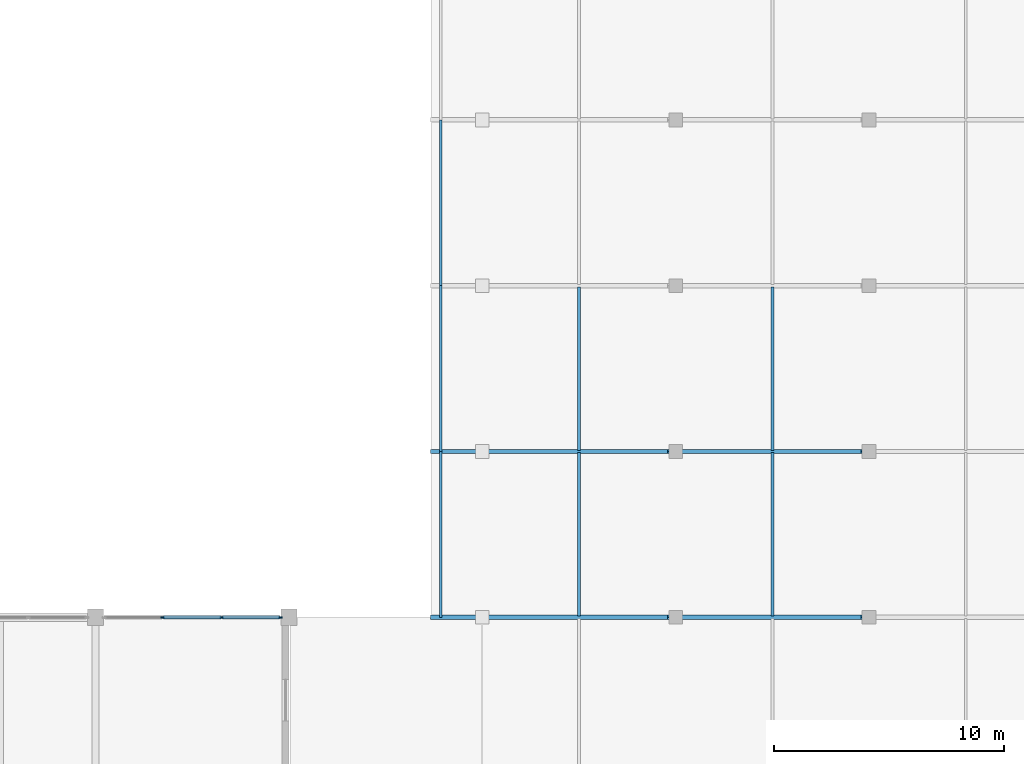
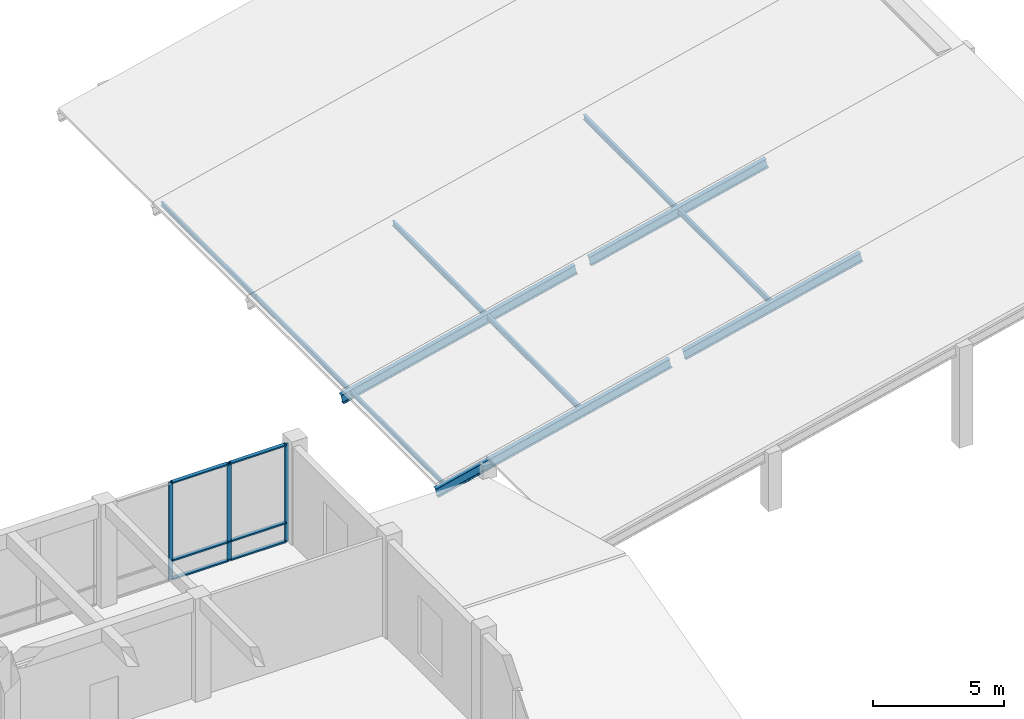
# One storey, part 25 of 51: 16 members, 4 beams, 1 element without a shape of its own.
"""IFC4 building model written with IfcOpenShell, lengths in metres."""

from ifc_helpers import new_model, si_unit, direction, frame, origin, origin_2d, place, context, subcontext, project, spatial, rectangle, i_section, extrude, material, material_profile, profile_set, type_object, element, aggregate, save


model = new_model("IFC4")

# Units and contexts
model_context = context("Model", 3, precision=1e-05, world=origin(), true_north=direction((0.0, 1.0)))
body_context = subcontext(model_context, "Body", "Model", "MODEL_VIEW")
ifc_project = project(units=[si_unit("LENGTHUNIT", "METRE"), si_unit("AREAUNIT", "SQUARE_METRE"), si_unit("VOLUMEUNIT", "CUBIC_METRE"), si_unit("PLANEANGLEUNIT", "RADIAN"), si_unit("MASSUNIT", "GRAM", prefix="KILO")], contexts=[model_context])

# Site, building, storey
site_placement = place(None, origin())
site = spatial("IfcSite", under=ifc_project, at=site_placement, CompositionType="ELEMENT")
building_placement = place(site_placement, origin())
building = spatial("IfcBuilding", under=site, at=building_placement, Name="Kenerak Square Central Library", CompositionType="ELEMENT")
storey_placement = place(building_placement, frame((0.0, 0.0, 9.60009765625)))
storey = spatial("IfcBuildingStorey", under=building, at=storey_placement, Name="L02", CompositionType="ELEMENT", Elevation=9.60009765625)

# Curtain wall, members
ifc_material_1 = material(Name="Anodised aluminium and solar-control low-E glazing", Category="aluminium")
curtain_wall_type = type_object("IfcCurtainWallType", Name="Curtain Wall CW-V6-77x45 7700x4550", PredefinedType="USERDEFINED", material=ifc_material_1)
curtain_wall_placement = place(storey_placement, origin())
curtain_wall = element("IfcCurtainWall", 1, at=curtain_wall_placement, inside=storey, type_object=curtain_wall_type, Name="Curtain Wall CW-V6-77x45 L02 0091", ObjectType="CURTAIN WALL", PredefinedType="USERDEFINED")
ifc_material_2 = material(Name="Anodised aluminium 6063-T6", Category="aluminium")
ifc_material_profile_1 = material_profile(ifc_material_2, rectangle(XDim=0.06494140625, YDim=0.179931640625, at=origin_2d()), Name="AL MULLION 65x180")
ifc_profile_set_1 = profile_set([ifc_material_profile_1], Name="Anodised aluminium 6063-T6")
member_type_1 = type_object("IfcMemberType", Name="Curtain Mullion CM-01 65x180", PredefinedType="MULLION", material=ifc_profile_set_1)
member_1_placement = place(storey_placement, frame((136.916748046875, 38.39990234375, 0.0), z_axis=(0.0, 0.0, 1.0), x_axis=(0.0, 1.0, 0.0)))
member_1 = element("IfcMember", 2, at=member_1_placement, type_object=member_type_1, Name="CW-V6-77x45 Mullion 2", PredefinedType="MULLION", context=body_context, shape_type="SweptSolid", body=[
    extrude(rectangle(XDim=0.06494140625, YDim=0.179931640625, at=origin_2d()), origin(), (0.0, 0.0, 1.0), 4.5498046875),
])
member_2_placement = place(storey_placement, frame((139.4833984375, 38.39990234375, 0.0), z_axis=(0.0, 0.0, 1.0), x_axis=(0.0, 1.0, 0.0)))
member_2 = element("IfcMember", 3, at=member_2_placement, type_object=member_type_1, Name="CW-V6-77x45 Mullion 3", PredefinedType="MULLION", context=body_context, shape_type="SweptSolid", body=[
    extrude(rectangle(XDim=0.06494140625, YDim=0.179931640625, at=origin_2d()), origin(), (0.0, 0.0, 1.0), 4.5498046875),
])
member_3_placement = place(storey_placement, frame((142.017578125, 38.39990234375, 0.0), z_axis=(0.0, 0.0, 1.0), x_axis=(0.0, 1.0, 0.0)))
member_3 = element("IfcMember", 4, at=member_3_placement, type_object=member_type_1, Name="CW-V6-77x45 Mullion 4", PredefinedType="MULLION", context=body_context, shape_type="SweptSolid", body=[
    extrude(rectangle(XDim=0.06494140625, YDim=0.179931640625, at=origin_2d()), origin(), (0.0, 0.0, 1.0), 4.5498046875),
])
ifc_material_profile_2 = material_profile(ifc_material_2, rectangle(XDim=0.159912109375, YDim=0.06494140625, at=origin_2d()), Name="AL TRANSOM 160x65")
ifc_profile_set_2 = profile_set([ifc_material_profile_2], Name="Anodised aluminium 6063-T6")
member_type_2 = type_object("IfcMemberType", Name="Curtain Transom CT-11 160x65", PredefinedType="USERDEFINED", material=ifc_profile_set_2)
member_4_placement = place(storey_placement, frame((136.94921875, 38.39990234375, 0.032470703125), z_axis=(1.0, 0.0, 0.0), x_axis=(0.0, 1.0, 0.0)))
member_4 = element("IfcMember", 5, at=member_4_placement, type_object=member_type_2, Name="CW-V6-77x45 Transom 2.1", ObjectType="TRANSOM", PredefinedType="USERDEFINED", context=body_context, shape_type="SweptSolid", body=[
    extrude(rectangle(XDim=0.159912109375, YDim=0.06494140625, at=origin_2d()), origin(), (0.0, 0.0, 1.0), 2.501708984375),
])
member_5_placement = place(storey_placement, frame((136.94921875, 38.39990234375, 0.89990234375), z_axis=(1.0, 0.0, 0.0), x_axis=(0.0, 1.0, 0.0)))
member_5 = element("IfcMember", 6, at=member_5_placement, type_object=member_type_2, Name="CW-V6-77x45 Transom 2.2", ObjectType="TRANSOM", PredefinedType="USERDEFINED", context=body_context, shape_type="SweptSolid", body=[
    extrude(rectangle(XDim=0.159912109375, YDim=0.06494140625, at=origin_2d()), origin(), (0.0, 0.0, 1.0), 2.501708984375),
])
member_6_placement = place(storey_placement, frame((136.94921875, 38.39990234375, 4.517333984375), z_axis=(1.0, 0.0, 0.0), x_axis=(0.0, 1.0, 0.0)))
member_6 = element("IfcMember", 7, at=member_6_placement, type_object=member_type_2, Name="CW-V6-77x45 Transom 2.3", ObjectType="TRANSOM", PredefinedType="USERDEFINED", context=body_context, shape_type="SweptSolid", body=[
    extrude(rectangle(XDim=0.159912109375, YDim=0.06494140625, at=origin_2d()), origin(), (0.0, 0.0, 1.0), 2.501708984375),
])
member_7_placement = place(storey_placement, frame((139.515869140625, 38.39990234375, 0.032470703125), z_axis=(1.0, 0.0, 0.0), x_axis=(0.0, 1.0, 0.0)))
member_7 = element("IfcMember", 8, at=member_7_placement, type_object=member_type_2, Name="CW-V6-77x45 Transom 3.1", ObjectType="TRANSOM", PredefinedType="USERDEFINED", context=body_context, shape_type="SweptSolid", body=[
    extrude(rectangle(XDim=0.159912109375, YDim=0.06494140625, at=origin_2d()), origin(), (0.0, 0.0, 1.0), 2.46923828125),
])
member_8_placement = place(storey_placement, frame((139.515869140625, 38.39990234375, 0.89990234375), z_axis=(1.0, 0.0, 0.0), x_axis=(0.0, 1.0, 0.0)))
member_8 = element("IfcMember", 9, at=member_8_placement, type_object=member_type_2, Name="CW-V6-77x45 Transom 3.2", ObjectType="TRANSOM", PredefinedType="USERDEFINED", context=body_context, shape_type="SweptSolid", body=[
    extrude(rectangle(XDim=0.159912109375, YDim=0.06494140625, at=origin_2d()), origin(), (0.0, 0.0, 1.0), 2.46923828125),
])
member_9_placement = place(storey_placement, frame((139.515869140625, 38.39990234375, 4.517333984375), z_axis=(1.0, 0.0, 0.0), x_axis=(0.0, 1.0, 0.0)))
member_9 = element("IfcMember", 10, at=member_9_placement, type_object=member_type_2, Name="CW-V6-77x45 Transom 3.3", ObjectType="TRANSOM", PredefinedType="USERDEFINED", context=body_context, shape_type="SweptSolid", body=[
    extrude(rectangle(XDim=0.159912109375, YDim=0.06494140625, at=origin_2d()), origin(), (0.0, 0.0, 1.0), 2.46923828125),
])
aggregate(curtain_wall, [member_1, member_2, member_3, member_4, member_5, member_6, member_7, member_8, member_9])

# Members
ifc_material_3 = material(Name="Steel S355", Category="steel")
ifc_material_profile_3 = material_profile(ifc_material_3, i_section(OverallWidth=0.10009765625, OverallDepth=0.199951171875, WebThickness=0.005615234375, FlangeThickness=0.008544921875, FilletRadius=0.011962890625, at=origin_2d()), Name="IPE 200")
ifc_profile_set_3 = profile_set([ifc_material_profile_3], Name="Steel S355")
member_type_3 = type_object("IfcMemberType", Name="Eave Steel Purlin PR-02 IPE 200 S355", PredefinedType="PURLIN", material=ifc_profile_set_3)
member_10_placement = place(storey_placement, frame((149.0, 38.39990234375, 0.17626953125), z_axis=(0.0, 1.0, 0.0), x_axis=(-1.0, 0.0, 0.0)))
element("IfcMember", 11, at=member_10_placement, inside=storey, type_object=member_type_3, Name="Monsoon Eave Purlin PR-02 01", PredefinedType="PURLIN", context=body_context, shape_type="SweptSolid", body=[
    extrude(i_section(OverallWidth=0.10009765625, OverallDepth=0.199951171875, WebThickness=0.005615234375, FlangeThickness=0.008544921875, FilletRadius=0.011962890625, at=origin_2d()), origin(), (0.0, 0.0, 1.0), 7.2001953125),
])
for number, where, z_axis, x_axis, name in (
    (12, (149.0, 45.60009765625, 0.17626953125), (0.0, 1.0, 0.0), (-1.0, 0.0, 0.0), "Monsoon Eave Purlin PR-02 02"),
    (13, (149.0, 52.800048828125, 0.17626953125), (0.0, 1.0, 0.0), (-1.0, 0.0, 0.0), "Monsoon Eave Purlin PR-02 03"),
):
    element("IfcMember", number, at=place(storey_placement, frame(where, z_axis=z_axis, x_axis=x_axis)), inside=storey, type_object=member_type_3, Name=name, PredefinedType="PURLIN", context=body_context, shape_type="SweptSolid", body=[
        extrude(i_section(OverallWidth=0.10009765625, OverallDepth=0.199951171875, WebThickness=0.005615234375, FlangeThickness=0.008544921875, FilletRadius=0.011962890625, at=origin_2d()), origin(), (0.0, 0.0, 1.0), 7.199951171875),
    ])

# Beams
ifc_material_profile_4 = material_profile(ifc_material_3, i_section(OverallWidth=0.18994140625, OverallDepth=0.449951171875, WebThickness=0.009521484375, FlangeThickness=0.0146484375, FilletRadius=0.02099609375, at=origin_2d()), Name="IPE 450")
ifc_profile_set_4 = profile_set([ifc_material_profile_4], Name="Steel S355")
beam_type = type_object("IfcBeamType", Name="Pavilion Roof Rafter SB-08 IPE 450 S355", PredefinedType="BEAM", material=ifc_profile_set_4)
beam_1_placement = place(storey_placement, frame((148.60009765625, 38.39990234375, -0.033935546875), z_axis=(0.972804977611, 0.0, 0.231625722957), x_axis=(0.0, 1.0, 0.0)))
element("IfcBeam", 14, at=beam_1_placement, inside=storey, type_object=beam_type, Name="Pavilion Roof Rafter SB-08 2-1", PredefinedType="BEAM", context=body_context, shape_type="SweptSolid", body=[
    extrude(i_section(OverallWidth=0.18994140625, OverallDepth=0.449951171875, WebThickness=0.009521484375, FlangeThickness=0.0146484375, FilletRadius=0.02099609375, at=origin_2d()), origin(), (0.0, 0.0, 1.0), 10.587646484375),
])
beam_2_placement = place(storey_placement, frame((159.5, 38.39990234375, 2.561279296875), z_axis=(0.972805561276, 0.0, 0.231623271609), x_axis=(0.0, 1.0, 0.0)))
element("IfcBeam", 15, at=beam_2_placement, inside=storey, type_object=beam_type, Name="Pavilion Roof Rafter SB-08 2-2", PredefinedType="BEAM", context=body_context, shape_type="SweptSolid", body=[
    extrude(i_section(OverallWidth=0.18994140625, OverallDepth=0.449951171875, WebThickness=0.009521484375, FlangeThickness=0.0146484375, FilletRadius=0.02099609375, at=origin_2d()), origin(), (0.0, 0.0, 1.0), 8.01806640625),
])
beam_3_placement = place(storey_placement, frame((148.60009765625, 45.60009765625, -0.033935546875), z_axis=(0.972804977611, 0.0, 0.231625722957), x_axis=(0.0, 1.0, 0.0)))
element("IfcBeam", 16, at=beam_3_placement, inside=storey, type_object=beam_type, Name="Pavilion Roof Rafter SB-08 3-1", PredefinedType="BEAM", context=body_context, shape_type="SweptSolid", body=[
    extrude(i_section(OverallWidth=0.18994140625, OverallDepth=0.449951171875, WebThickness=0.009521484375, FlangeThickness=0.0146484375, FilletRadius=0.02099609375, at=origin_2d()), origin(), (0.0, 0.0, 1.0), 10.587646484375),
])
beam_4_placement = place(storey_placement, frame((159.5, 45.60009765625, 2.561279296875), z_axis=(0.972805561276, 0.0, 0.231623271609), x_axis=(0.0, 1.0, 0.0)))
element("IfcBeam", 17, at=beam_4_placement, inside=storey, type_object=beam_type, Name="Pavilion Roof Rafter SB-08 3-2", PredefinedType="BEAM", context=body_context, shape_type="SweptSolid", body=[
    extrude(i_section(OverallWidth=0.18994140625, OverallDepth=0.449951171875, WebThickness=0.009521484375, FlangeThickness=0.0146484375, FilletRadius=0.02099609375, at=origin_2d()), origin(), (0.0, 0.0, 1.0), 8.01806640625),
])

# Members
ifc_material_profile_5 = material_profile(ifc_material_3, i_section(OverallWidth=0.1201171875, OverallDepth=0.239990234375, WebThickness=0.006103515625, FlangeThickness=0.009765625, FilletRadius=0.014892578125, at=origin_2d()), Name="IPE 240")
ifc_profile_set_5 = profile_set([ifc_material_profile_5], Name="Steel S355")
member_type_4 = type_object("IfcMemberType", Name="Roof Steel Purlin PR-01 IPE 240 S355", PredefinedType="PURLIN", material=ifc_profile_set_5)
for number, where, z_axis, x_axis, name in (
    (18, (155.0, 38.449951171875, 1.56982421875), (0.0, 1.0, 0.0), (-1.0, 0.0, 0.0), "Pavilion Roof Purlin PR-01 0217"),
    (19, (163.39990234375, 38.449951171875, 3.56982421875), (0.0, 1.0, 0.0), (-1.0, 0.0, 0.0), "Pavilion Roof Purlin PR-01 0218"),
    (20, (155.0, 45.64990234375, 1.56982421875), (0.0, 1.0, 0.0), (-1.0, 0.0, 0.0), "Pavilion Roof Purlin PR-01 0220"),
    (21, (163.39990234375, 45.64990234375, 3.56982421875), (0.0, 1.0, 0.0), (-1.0, 0.0, 0.0), "Pavilion Roof Purlin PR-01 0221"),
):
    element("IfcMember", number, at=place(storey_placement, frame(where, z_axis=z_axis, x_axis=x_axis)), inside=storey, type_object=member_type_4, Name=name, PredefinedType="PURLIN", context=body_context, shape_type="SweptSolid", body=[
        extrude(i_section(OverallWidth=0.1201171875, OverallDepth=0.239990234375, WebThickness=0.006103515625, FlangeThickness=0.009765625, FilletRadius=0.014892578125, at=origin_2d()), origin(), (0.0, 0.0, 1.0), 7.10009765625),
    ])

save(model, "model.ifc")
